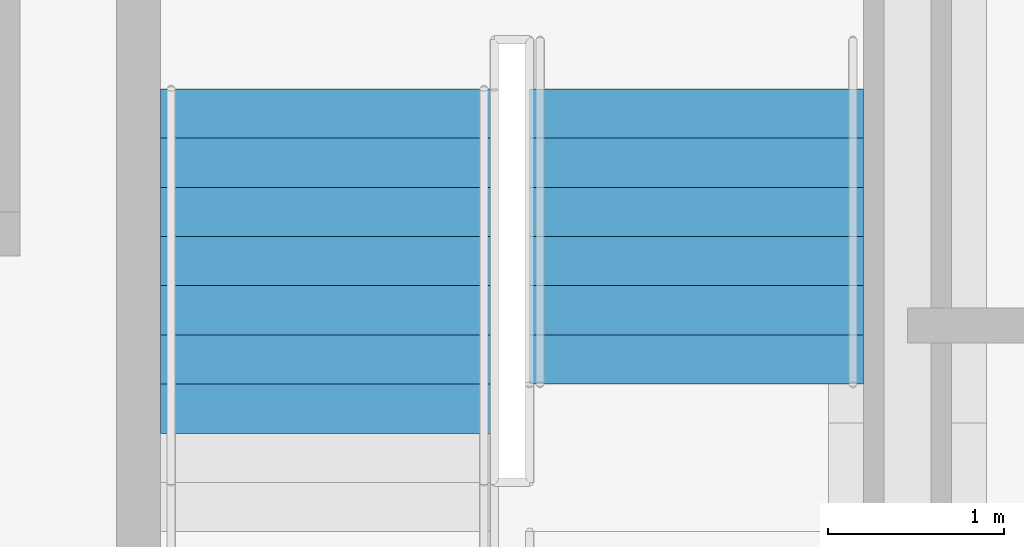
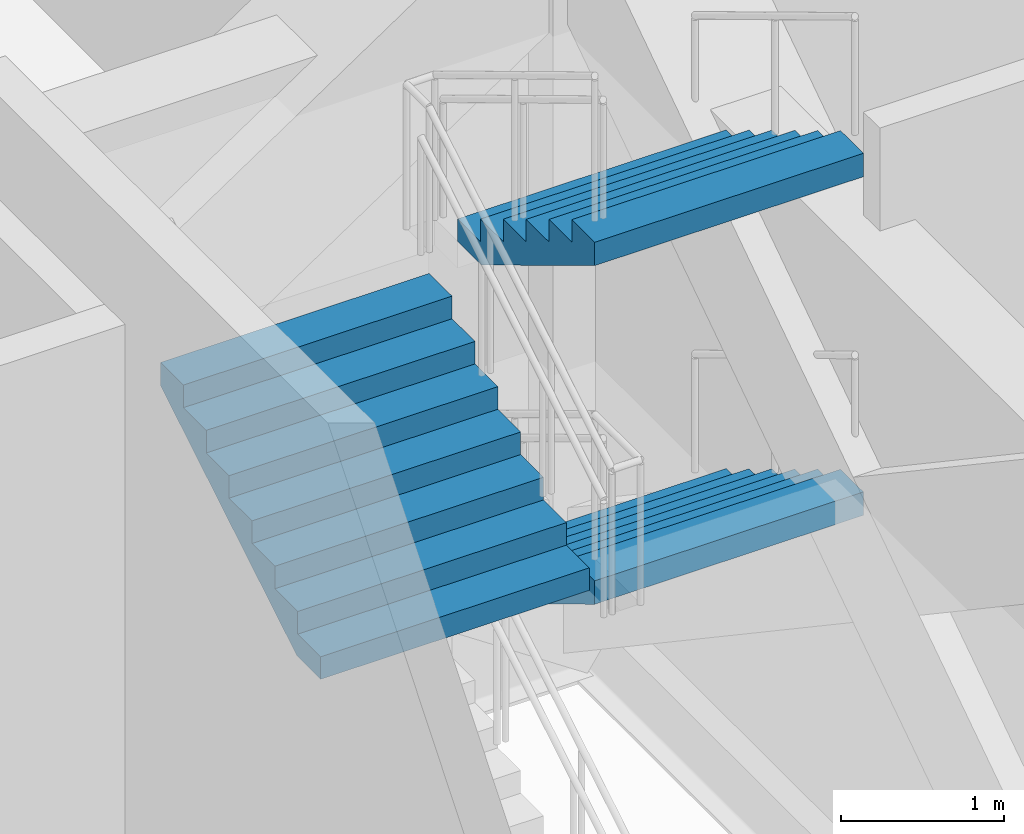
# One storey, part 27 of 29: 3 stair flights, 1 element without a shape of its own.
"""IFC4 building model written with IfcOpenShell, lengths in metres."""

from ifc_helpers import new_model, si_unit, direction, frame, origin, place, context, subcontext, project, spatial, polygons, source, transform, mapped, material, type_object, element, aggregate, save


model = new_model("IFC4")

# Units and contexts
model_context = context("Model", 3, precision=1e-05, world=origin(), true_north=direction((0.0, 1.0)))
body_context = subcontext(model_context, "Body", "Model", "MODEL_VIEW")
ifc_project = project(units=[si_unit("LENGTHUNIT", "METRE"), si_unit("AREAUNIT", "SQUARE_METRE"), si_unit("VOLUMEUNIT", "CUBIC_METRE"), si_unit("PLANEANGLEUNIT", "RADIAN"), si_unit("MASSUNIT", "GRAM", prefix="KILO")], contexts=[model_context])

# Site, building, storey
site_placement = place(None, origin())
site = spatial("IfcSite", under=ifc_project, at=site_placement, CompositionType="ELEMENT")
building_placement = place(site_placement, origin())
building = spatial("IfcBuilding", under=site, at=building_placement, Name="Kopane Lantern Tower", CompositionType="ELEMENT")
storey_placement = place(building_placement, frame((0.0, 0.0, 165.0)))
storey = spatial("IfcBuildingStorey", under=building, at=storey_placement, Name="L42", CompositionType="ELEMENT", Elevation=165.0)

# Stair, stair flights
ifc_material_1 = material(Name="Steel S355JR", Category="steel")
stair_type = type_object("IfcStairType", Name="EXIT STAIR 1900 HALF TURN", PredefinedType="HALF_TURN_STAIR", material=ifc_material_1)
stair_placement = place(storey_placement, origin())
stair = element("IfcStair", 1, at=stair_placement, inside=storey, type_object=stair_type, Name="Exit stair ST2 L42", PredefinedType="HALF_TURN_STAIR")
ifc_material_2 = material(Name="Steel S355JR", Category="steel")
stair_flight_type = type_object("IfcStairFlightType", Name="STAIR FLIGHT 1900 STEEL", PredefinedType="STRAIGHT", material=ifc_material_2)
shared_shape_1 = source(origin(), body_context, "Body", "Tessellation", [
    polygons([(1.959960938, 0.949951172, 1.181152344), (1.679931641, 0.949951172, 1.181152344), (1.679931641, -0.949951172, 1.181152344), (1.959960938, -0.949951172, 1.181152344), (0.290527344, 0.949951172, 0.0), (1.959960938, 0.949951172, 1.006347656), (1.959960938, -0.949951172, 1.006347656), (0.290527344, -0.949951172, 0.0), (0.0, 0.949951172, 0.0), (0.0, -0.949951172, 0.0), (0.280029297, 0.949951172, 0.168701172), (0.0, 0.949951172, 0.168701172), (0.0, -0.949951172, 0.168701172), (0.280029297, -0.949951172, 0.168701172), (0.280029297, 0.949951172, 0.337402344), (0.280029297, -0.949951172, 0.337402344), (0.560058594, 0.949951172, 0.337402344), (0.560058594, -0.949951172, 0.337402344), (0.560058594, 0.949951172, 0.506347656), (0.560058594, -0.949951172, 0.506347656), (0.840087891, 0.949951172, 0.506347656), (0.840087891, -0.949951172, 0.506347656), (0.840087891, 0.949951172, 0.675048828), (0.840087891, -0.949951172, 0.675048828), (1.120117188, 0.949951172, 0.675048828), (1.120117188, -0.949951172, 0.675048828), (1.120117188, 0.949951172, 0.84375), (1.120117188, -0.949951172, 0.84375), (1.399902344, 0.949951172, 0.84375), (1.399902344, -0.949951172, 0.84375), (1.399902344, 0.949951172, 1.012451172), (1.399902344, -0.949951172, 1.012451172), (1.679931641, 0.949951172, 1.012451172), (1.679931641, -0.949951172, 1.012451172), (0.0, 0.0, 0.004559491), (0.0, 0.0, 0.009118982), (0.0, 0.0, 0.013678473), (0.0, 0.0, 0.018237965), (0.0, 0.0, 0.022797456), (0.0, 0.0, 0.027356947), (0.0, 0.0, 0.031916438), (0.0, 0.0, 0.036475929), (0.0, 0.0, 0.04103542), (0.0, 0.0, 0.045594911), (0.0, 0.0, 0.050154402), (0.0, 0.0, 0.054713894), (0.0, 0.0, 0.059273385), (0.0, 0.0, 0.063832876), (0.0, 0.0, 0.068392367), (0.0, 0.0, 0.072951858), (0.0, 0.0, 0.077511349), (0.0, 0.0, 0.08207084), (0.0, 0.0, 0.086630332), (0.0, 0.0, 0.091189823), (0.0, 0.0, 0.095749314), (0.0, 0.0, 0.100308805), (0.0, 0.0, 0.104868296), (0.0, 0.0, 0.109427787), (0.0, 0.0, 0.113987278), (0.0, 0.0, 0.118546769), (0.0, 0.0, 0.123106261), (0.0, 0.0, 0.127665752), (0.0, 0.0, 0.132225243), (0.0, 0.0, 0.136784734), (0.0, 0.0, 0.141344225), (0.0, 0.0, 0.145903716), (0.0, 0.0, 0.150463207), (0.0, 0.0, 0.155022698), (0.0, 0.0, 0.15958219), (0.0, 0.0, 0.164141681), (1.959960938, 0.0, 1.011072107), (1.959960938, 0.0, 1.015796558), (1.959960938, 0.0, 1.020521009), (1.959960938, 0.0, 1.02524546), (1.959960938, 0.0, 1.029969911), (1.959960938, 0.0, 1.034694362), (1.959960938, 0.0, 1.039418813), (1.959960938, 0.0, 1.044143264), (1.959960938, 0.0, 1.048867715), (1.959960938, 0.0, 1.053592166), (1.959960938, 0.0, 1.058316617), (1.959960938, 0.0, 1.063041068), (1.959960938, 0.0, 1.067765519), (1.959960938, 0.0, 1.07248997), (1.959960938, 0.0, 1.077214421), (1.959960938, 0.0, 1.081938872), (1.959960938, 0.0, 1.086663323), (1.959960938, 0.0, 1.091387774), (1.959960938, 0.0, 1.096112226), (1.959960938, 0.0, 1.100836677), (1.959960938, 0.0, 1.105561128), (1.959960938, 0.0, 1.110285579), (1.959960938, 0.0, 1.11501003), (1.959960938, 0.0, 1.119734481), (1.959960938, 0.0, 1.124458932), (1.959960938, 0.0, 1.129183383), (1.959960938, 0.0, 1.133907834), (1.959960938, 0.0, 1.138632285), (1.959960938, 0.0, 1.143356736), (1.959960938, 0.0, 1.148081187), (1.959960938, 0.0, 1.152805638), (1.959960938, 0.0, 1.157530089), (1.959960938, 0.0, 1.16225454), (1.959960938, 0.0, 1.166978991), (1.959960938, 0.0, 1.171703442), (1.959960938, 0.0, 1.176427893)], [[[1, 2, 3]], [[1, 3, 4]], [[5, 6, 7]], [[5, 7, 8]], [[9, 5, 8]], [[9, 8, 10]], [[11, 12, 13]], [[11, 13, 14]], [[15, 11, 14]], [[15, 14, 16]], [[17, 15, 16]], [[17, 16, 18]], [[19, 17, 18]], [[19, 18, 20]], [[21, 19, 20]], [[21, 20, 22]], [[23, 21, 22]], [[23, 22, 24]], [[25, 23, 24]], [[25, 24, 26]], [[27, 25, 26]], [[27, 26, 28]], [[29, 27, 28]], [[29, 28, 30]], [[31, 29, 30]], [[31, 30, 32]], [[33, 31, 32]], [[33, 32, 34]], [[2, 33, 34]], [[2, 34, 3]], [[33, 1, 6]], [[29, 33, 6]], [[2, 1, 33]], [[25, 29, 6]], [[31, 33, 29]], [[5, 21, 25]], [[27, 29, 25]], [[17, 21, 5]], [[23, 25, 21]], [[11, 17, 5]], [[19, 21, 17]], [[9, 11, 5]], [[15, 17, 11]], [[12, 11, 9]], [[6, 5, 25]], [[7, 4, 34]], [[7, 34, 30]], [[34, 4, 3]], [[7, 30, 26]], [[30, 34, 32]], [[26, 22, 8]], [[26, 30, 28]], [[8, 22, 18]], [[22, 26, 24]], [[8, 18, 14]], [[18, 22, 20]], [[8, 14, 10]], [[14, 18, 16]], [[10, 14, 13]], [[26, 8, 7]], [[10, 35, 9]], [[10, 36, 35]], [[9, 35, 36]], [[10, 37, 36]], [[9, 36, 37]], [[10, 38, 37]], [[9, 37, 38]], [[10, 39, 38]], [[9, 38, 39]], [[10, 40, 39]], [[9, 39, 40]], [[10, 41, 40]], [[9, 40, 41]], [[10, 42, 41]], [[9, 41, 42]], [[10, 43, 42]], [[9, 42, 43]], [[10, 44, 43]], [[9, 43, 44]], [[10, 45, 44]], [[9, 44, 45]], [[10, 46, 45]], [[9, 45, 46]], [[10, 47, 46]], [[9, 46, 47]], [[10, 48, 47]], [[9, 47, 48]], [[10, 49, 48]], [[9, 48, 49]], [[10, 50, 49]], [[9, 49, 50]], [[10, 51, 50]], [[9, 50, 51]], [[10, 52, 51]], [[9, 51, 52]], [[10, 53, 52]], [[9, 52, 53]], [[10, 54, 53]], [[9, 53, 54]], [[10, 55, 54]], [[9, 54, 55]], [[10, 56, 55]], [[9, 55, 56]], [[10, 57, 56]], [[9, 56, 57]], [[10, 58, 57]], [[9, 57, 58]], [[10, 59, 58]], [[9, 58, 59]], [[10, 60, 59]], [[9, 59, 60]], [[10, 61, 60]], [[9, 60, 61]], [[10, 62, 61]], [[9, 61, 62]], [[10, 63, 62]], [[9, 62, 63]], [[10, 64, 63]], [[9, 63, 64]], [[10, 65, 64]], [[9, 64, 65]], [[10, 66, 65]], [[9, 65, 66]], [[10, 67, 66]], [[9, 66, 67]], [[10, 68, 67]], [[9, 67, 68]], [[10, 69, 68]], [[9, 68, 69]], [[10, 70, 69]], [[9, 69, 70]], [[10, 13, 70]], [[70, 13, 12]], [[9, 70, 12]], [[7, 6, 71]], [[7, 71, 72]], [[6, 72, 71]], [[7, 72, 73]], [[6, 73, 72]], [[7, 73, 74]], [[6, 74, 73]], [[7, 74, 75]], [[6, 75, 74]], [[7, 75, 76]], [[6, 76, 75]], [[7, 76, 77]], [[6, 77, 76]], [[7, 77, 78]], [[6, 78, 77]], [[7, 78, 79]], [[6, 79, 78]], [[7, 79, 80]], [[6, 80, 79]], [[7, 80, 81]], [[6, 81, 80]], [[7, 81, 82]], [[6, 82, 81]], [[7, 82, 83]], [[6, 83, 82]], [[7, 83, 84]], [[6, 84, 83]], [[7, 84, 85]], [[6, 85, 84]], [[7, 85, 86]], [[6, 86, 85]], [[7, 86, 87]], [[6, 87, 86]], [[7, 87, 88]], [[6, 88, 87]], [[7, 88, 89]], [[6, 89, 88]], [[7, 89, 90]], [[6, 90, 89]], [[7, 90, 91]], [[6, 91, 90]], [[7, 91, 92]], [[6, 92, 91]], [[7, 92, 93]], [[6, 93, 92]], [[7, 93, 94]], [[6, 94, 93]], [[7, 94, 95]], [[6, 95, 94]], [[7, 95, 96]], [[6, 96, 95]], [[7, 96, 97]], [[6, 97, 96]], [[7, 97, 98]], [[6, 98, 97]], [[7, 98, 99]], [[6, 99, 98]], [[7, 99, 100]], [[6, 100, 99]], [[7, 100, 101]], [[6, 101, 100]], [[7, 101, 102]], [[6, 102, 101]], [[7, 102, 103]], [[6, 103, 102]], [[7, 103, 104]], [[6, 104, 103]], [[7, 104, 105]], [[6, 105, 104]], [[7, 105, 106]], [[6, 106, 105]], [[7, 106, 4]], [[106, 1, 4]], [[6, 1, 106]]], closed=True),
])
stair_flight_1_placement = place(storey_placement, frame((37.199951171875, 36.389892578125, 2.868896484375), z_axis=(0.0, 0.0, 1.0), x_axis=(0.0, 1.0, 0.0)))
stair_flight_1 = element("IfcStairFlight", 2, at=stair_flight_1_placement, type_object=stair_flight_type, Name="ST2 flight 3", NumberOfRisers=8, NumberOfTreads=7, PredefinedType="STRAIGHT", RiserHeight=0.16875, TreadLength=0.28, context=body_context, shape_type="MappedRepresentation", body=[
    mapped(shared_shape_1, transform((0.0, 0.0, 0.0))),
])
shared_shape_2 = source(origin(), body_context, "Body", "Tessellation", [
    polygons([(1.679931641, 0.949951172, 1.012451172), (1.399902344, 0.949951172, 1.012451172), (1.399902344, -0.949951172, 1.012451172), (1.679931641, -0.949951172, 1.012451172), (0.290527344, 0.949951172, 0.0), (1.679931641, 0.949951172, 0.837402344), (1.679931641, -0.949951172, 0.837402344), (0.290527344, -0.949951172, 0.0), (0.0, 0.949951172, 0.0), (0.0, -0.949951172, 0.0), (0.280029297, 0.949951172, 0.168701172), (0.0, 0.949951172, 0.168701172), (0.0, -0.949951172, 0.168701172), (0.280029297, -0.949951172, 0.168701172), (0.280029297, 0.949951172, 0.337402344), (0.280029297, -0.949951172, 0.337402344), (0.560058594, 0.949951172, 0.337402344), (0.560058594, -0.949951172, 0.337402344), (0.560058594, 0.949951172, 0.506347656), (0.560058594, -0.949951172, 0.506347656), (0.840087891, 0.949951172, 0.506347656), (0.840087891, -0.949951172, 0.506347656), (0.840087891, 0.949951172, 0.675048828), (0.840087891, -0.949951172, 0.675048828), (1.120117188, 0.949951172, 0.675048828), (1.120117188, -0.949951172, 0.675048828), (1.120117188, 0.949951172, 0.84375), (1.120117188, -0.949951172, 0.84375), (1.399902344, 0.949951172, 0.84375), (1.399902344, -0.949951172, 0.84375), (0.0, 0.0, 0.004559491), (0.0, 0.0, 0.009118982), (0.0, 0.0, 0.013678473), (0.0, 0.0, 0.018237965), (0.0, 0.0, 0.022797456), (0.0, 0.0, 0.027356947), (0.0, 0.0, 0.031916438), (0.0, 0.0, 0.036475929), (0.0, 0.0, 0.04103542), (0.0, 0.0, 0.045594911), (0.0, 0.0, 0.050154402), (0.0, 0.0, 0.054713894), (0.0, 0.0, 0.059273385), (0.0, 0.0, 0.063832876), (0.0, 0.0, 0.068392367), (0.0, 0.0, 0.072951858), (0.0, 0.0, 0.077511349), (0.0, 0.0, 0.08207084), (0.0, 0.0, 0.086630332), (0.0, 0.0, 0.091189823), (0.0, 0.0, 0.095749314), (0.0, 0.0, 0.100308805), (0.0, 0.0, 0.104868296), (0.0, 0.0, 0.109427787), (0.0, 0.0, 0.113987278), (0.0, 0.0, 0.118546769), (0.0, 0.0, 0.123106261), (0.0, 0.0, 0.127665752), (0.0, 0.0, 0.132225243), (0.0, 0.0, 0.136784734), (0.0, 0.0, 0.141344225), (0.0, 0.0, 0.145903716), (0.0, 0.0, 0.150463207), (0.0, 0.0, 0.155022698), (0.0, 0.0, 0.15958219), (0.0, 0.0, 0.164141681), (1.679931641, 0.0, 0.842133393), (1.679931641, 0.0, 0.846864443), (1.679931641, 0.0, 0.851595492), (1.679931641, 0.0, 0.856326541), (1.679931641, 0.0, 0.861057591), (1.679931641, 0.0, 0.86578864), (1.679931641, 0.0, 0.87051969), (1.679931641, 0.0, 0.875250739), (1.679931641, 0.0, 0.879981788), (1.679931641, 0.0, 0.884712838), (1.679931641, 0.0, 0.889443887), (1.679931641, 0.0, 0.894174937), (1.679931641, 0.0, 0.898905986), (1.679931641, 0.0, 0.903637035), (1.679931641, 0.0, 0.908368085), (1.679931641, 0.0, 0.913099134), (1.679931641, 0.0, 0.917830184), (1.679931641, 0.0, 0.922561233), (1.679931641, 0.0, 0.927292283), (1.679931641, 0.0, 0.932023332), (1.679931641, 0.0, 0.936754381), (1.679931641, 0.0, 0.941485431), (1.679931641, 0.0, 0.94621648), (1.679931641, 0.0, 0.95094753), (1.679931641, 0.0, 0.955678579), (1.679931641, 0.0, 0.960409628), (1.679931641, 0.0, 0.965140678), (1.679931641, 0.0, 0.969871727), (1.679931641, 0.0, 0.974602777), (1.679931641, 0.0, 0.979333826), (1.679931641, 0.0, 0.984064875), (1.679931641, 0.0, 0.988795925), (1.679931641, 0.0, 0.993526974), (1.679931641, 0.0, 0.998258024), (1.679931641, 0.0, 1.002989073), (1.679931641, 0.0, 1.007720122)], [[[1, 2, 3]], [[1, 3, 4]], [[5, 6, 7]], [[5, 7, 8]], [[9, 5, 8]], [[9, 8, 10]], [[11, 12, 13]], [[11, 13, 14]], [[15, 11, 14]], [[15, 14, 16]], [[17, 15, 16]], [[17, 16, 18]], [[19, 17, 18]], [[19, 18, 20]], [[21, 19, 20]], [[21, 20, 22]], [[23, 21, 22]], [[23, 22, 24]], [[25, 23, 24]], [[25, 24, 26]], [[27, 25, 26]], [[27, 26, 28]], [[29, 27, 28]], [[29, 28, 30]], [[2, 29, 30]], [[2, 30, 3]], [[29, 1, 6]], [[25, 29, 6]], [[2, 1, 29]], [[21, 25, 6]], [[5, 21, 6]], [[27, 29, 25]], [[17, 21, 5]], [[23, 25, 21]], [[11, 17, 5]], [[19, 21, 17]], [[9, 11, 5]], [[15, 17, 11]], [[12, 11, 9]], [[7, 4, 30]], [[7, 30, 26]], [[30, 4, 3]], [[7, 26, 22]], [[7, 22, 8]], [[26, 30, 28]], [[8, 22, 18]], [[22, 26, 24]], [[8, 18, 14]], [[18, 22, 20]], [[8, 14, 10]], [[14, 18, 16]], [[10, 14, 13]], [[10, 31, 9]], [[10, 32, 31]], [[9, 31, 32]], [[10, 33, 32]], [[9, 32, 33]], [[10, 34, 33]], [[9, 33, 34]], [[10, 35, 34]], [[9, 34, 35]], [[10, 36, 35]], [[9, 35, 36]], [[10, 37, 36]], [[9, 36, 37]], [[10, 38, 37]], [[9, 37, 38]], [[10, 39, 38]], [[9, 38, 39]], [[10, 40, 39]], [[9, 39, 40]], [[10, 41, 40]], [[9, 40, 41]], [[10, 42, 41]], [[9, 41, 42]], [[10, 43, 42]], [[9, 42, 43]], [[10, 44, 43]], [[9, 43, 44]], [[10, 45, 44]], [[9, 44, 45]], [[10, 46, 45]], [[9, 45, 46]], [[10, 47, 46]], [[9, 46, 47]], [[10, 48, 47]], [[9, 47, 48]], [[10, 49, 48]], [[9, 48, 49]], [[10, 50, 49]], [[9, 49, 50]], [[10, 51, 50]], [[9, 50, 51]], [[10, 52, 51]], [[9, 51, 52]], [[10, 53, 52]], [[9, 52, 53]], [[10, 54, 53]], [[9, 53, 54]], [[10, 55, 54]], [[9, 54, 55]], [[10, 56, 55]], [[9, 55, 56]], [[10, 57, 56]], [[9, 56, 57]], [[10, 58, 57]], [[9, 57, 58]], [[10, 59, 58]], [[9, 58, 59]], [[10, 60, 59]], [[9, 59, 60]], [[10, 61, 60]], [[9, 60, 61]], [[10, 62, 61]], [[9, 61, 62]], [[10, 63, 62]], [[9, 62, 63]], [[10, 64, 63]], [[9, 63, 64]], [[10, 65, 64]], [[9, 64, 65]], [[10, 66, 65]], [[9, 65, 66]], [[10, 13, 66]], [[66, 13, 12]], [[9, 66, 12]], [[7, 6, 67]], [[7, 67, 68]], [[6, 68, 67]], [[7, 68, 69]], [[6, 69, 68]], [[7, 69, 70]], [[6, 70, 69]], [[7, 70, 71]], [[6, 71, 70]], [[7, 71, 72]], [[6, 72, 71]], [[7, 72, 73]], [[6, 73, 72]], [[7, 73, 74]], [[6, 74, 73]], [[7, 74, 75]], [[6, 75, 74]], [[7, 75, 76]], [[6, 76, 75]], [[7, 76, 77]], [[6, 77, 76]], [[7, 77, 78]], [[6, 78, 77]], [[7, 78, 79]], [[6, 79, 78]], [[7, 79, 80]], [[6, 80, 79]], [[7, 80, 81]], [[6, 81, 80]], [[7, 81, 82]], [[6, 82, 81]], [[7, 82, 83]], [[6, 83, 82]], [[7, 83, 84]], [[6, 84, 83]], [[7, 84, 85]], [[6, 85, 84]], [[7, 85, 86]], [[6, 86, 85]], [[7, 86, 87]], [[6, 87, 86]], [[7, 87, 88]], [[6, 88, 87]], [[7, 88, 89]], [[6, 89, 88]], [[7, 89, 90]], [[6, 90, 89]], [[7, 90, 91]], [[6, 91, 90]], [[7, 91, 92]], [[6, 92, 91]], [[7, 92, 93]], [[6, 93, 92]], [[7, 93, 94]], [[6, 94, 93]], [[7, 94, 95]], [[6, 95, 94]], [[7, 95, 96]], [[6, 96, 95]], [[7, 96, 97]], [[6, 97, 96]], [[7, 97, 98]], [[6, 98, 97]], [[7, 98, 99]], [[6, 99, 98]], [[7, 99, 100]], [[6, 100, 99]], [[7, 100, 101]], [[6, 101, 100]], [[7, 101, 102]], [[6, 102, 101]], [[7, 102, 4]], [[102, 1, 4]], [[6, 1, 102]]], closed=True),
])
stair_flight_2_placement = place(storey_placement, frame((39.300048828125, 38.35009765625, 1.6875), z_axis=(0.0, 0.0, 1.0), x_axis=(0.0, -1.0, 0.0)))
stair_flight_2 = element("IfcStairFlight", 3, at=stair_flight_2_placement, type_object=stair_flight_type, Name="ST2 flight 2", NumberOfRisers=7, NumberOfTreads=6, PredefinedType="STRAIGHT", RiserHeight=0.16875, TreadLength=0.28, context=body_context, shape_type="MappedRepresentation", body=[
    mapped(shared_shape_2, transform((0.0, 0.0, 0.0))),
])
stair_flight_3_placement = place(storey_placement, frame((39.300048828125, 38.35009765625, 4.21875), z_axis=(0.0, 0.0, 1.0), x_axis=(0.0, -1.0, 0.0)))
stair_flight_3 = element("IfcStairFlight", 4, at=stair_flight_3_placement, type_object=stair_flight_type, Name="ST2 flight 4", NumberOfRisers=7, NumberOfTreads=6, PredefinedType="STRAIGHT", RiserHeight=0.16875, TreadLength=0.28, context=body_context, shape_type="MappedRepresentation", body=[
    mapped(shared_shape_2, transform((0.0, 0.0, 0.0))),
])
aggregate(stair, [stair_flight_2, stair_flight_1, stair_flight_3])

save(model, "model.ifc")
